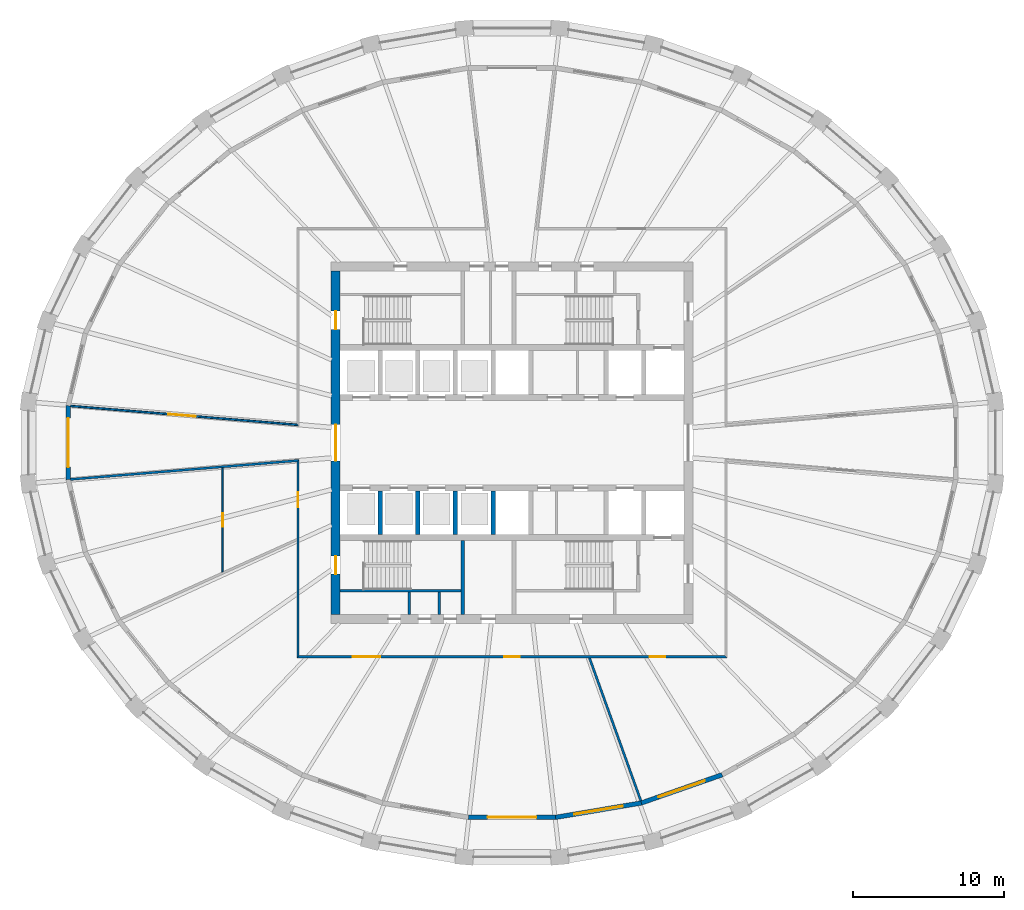
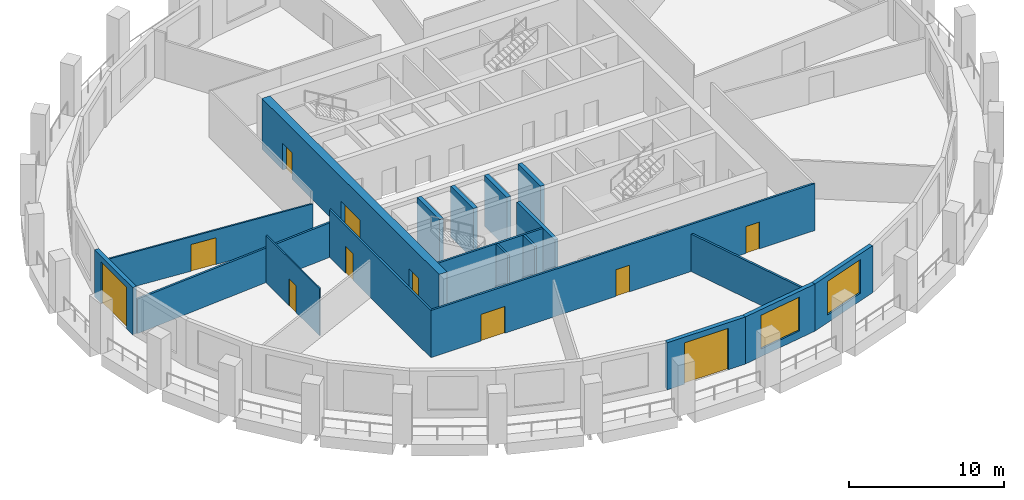
# One storey, part 3 of 10: 19 walls, 11 doors, 2 windows, 13 openings.
"""IFC4 building model written with IfcOpenShell, lengths in metres."""

from ifc_helpers import new_model, si_unit, direction, frame, frame_2d, origin, place, context, subcontext, project, spatial, polyline, rectangle, outline, extrude, material, layer, layer_set, type_object, element, fill, save


model = new_model("IFC4")

# Units and contexts
model_context = context("Model", 3, precision=1e-05, world=origin(), true_north=direction((0.0, 1.0)))
body_context = subcontext(model_context, "Body", "Model", "MODEL_VIEW")
ifc_project = project(units=[si_unit("LENGTHUNIT", "METRE"), si_unit("AREAUNIT", "SQUARE_METRE"), si_unit("VOLUMEUNIT", "CUBIC_METRE"), si_unit("PLANEANGLEUNIT", "RADIAN"), si_unit("MASSUNIT", "GRAM", prefix="KILO")], contexts=[model_context])

# Site, building, storey
site_placement = place(None, origin())
site = spatial("IfcSite", under=ifc_project, at=site_placement, CompositionType="ELEMENT")
building_placement = place(site_placement, origin())
building = spatial("IfcBuilding", under=site, at=building_placement, Name="Halqa Exchange Tower", CompositionType="ELEMENT")
storey_placement = place(building_placement, frame((0.0, 0.0, 206.89990234375)))
storey = spatial("IfcBuildingStorey", under=building, at=storey_placement, Name="L47", CompositionType="ELEMENT", Elevation=206.89990234375)

# Wall
ifc_material_1 = material(Name="Fire-rated gypsum board")
ifc_layer_1 = layer(ifc_material_1, 0.14990234375)
ifc_layer_set_1 = layer_set([ifc_layer_1], Name="Fire-rated gypsum board")
wall_type_1 = type_object("IfcWallType", Name="Fire partition EI 60 150", PredefinedType="PARTITIONING", material=ifc_layer_set_1)
wall_1_placement = place(storey_placement, frame((-29.288330078125, -2.43408203125, 0.0), z_axis=(0.0, 0.0, 1.0), x_axis=(0.9965984313, 0.082410962436, 0.0)))
element("IfcWall", 1, at=wall_1_placement, inside=storey, type_object=wall_type_1, Name="L47-PWL-002", PredefinedType="PARTITIONING", context=body_context, shape_type="SweptSolid", body=[
    extrude(outline(polyline([(0.004638671875, -0.074951171875), (1.886474609375, -0.074951171875), (3.76806640625, -0.074951171875), (5.64990234375, -0.074951171875), (7.531494140625, -0.074951171875), (9.413330078125, -0.074951171875), (11.295166015625, -0.074951171875), (13.1767578125, -0.074951171875), (15.05859375, -0.074951171875), (15.22119140625, 0.07470703125), (15.22119140625, 0.074951171875), (13.318603515625, 0.074951171875), (11.416015625, 0.074951171875), (9.51318359375, 0.074951171875), (7.610595703125, 0.074951171875), (5.7080078125, 0.074951171875), (3.80517578125, 0.074951171875), (1.902587890625, 0.074951171875), (0.0, 0.074951171875), (0.0, -0.044189453125), (0.004638671875, -0.074951171875)])), origin(), (0.0, 0.0, 1.0), 2.710205078125),
])

# Wall, opening, door
wall_2_placement = place(storey_placement, frame((-14.199951171875, -14.27490234375, 0.0), z_axis=(0.0, 0.0, 1.0), x_axis=(0.0, 1.0, 0.0)))
wall_2 = element("IfcWall", 2, at=wall_2_placement, inside=storey, type_object=wall_type_1, Name="L47-PWL-005", PredefinedType="PARTITIONING", context=body_context, shape_type="SweptSolid", body=[
    extrude(outline(polyline([(0.14990234375, -0.074951171875), (2.010009765625, -0.074951171875), (3.869873046875, -0.074951171875), (5.72998046875, -0.074951171875), (7.58984375, -0.074951171875), (9.449951171875, -0.074951171875), (11.309814453125, -0.074951171875), (13.169921875, -0.074951171875), (13.007080078125, 0.074951171875), (11.14892578125, 0.074951171875), (9.290771484375, 0.074951171875), (7.4326171875, 0.074951171875), (5.574462890625, 0.074951171875), (3.71630859375, 0.074951171875), (1.858154296875, 0.074951171875), (0.0, 0.074951171875), (0.14990234375, -0.074951171875)])), origin(), (0.0, 0.0, 1.0), 3.7001953125),
])
opening_1_placement = place(wall_2_placement, frame((9.985107421875, 0.0, 0.0)))
opening_1 = element("IfcOpeningElement", 3, at=opening_1_placement, cuts=wall_2, Name="Opening 14-03", PredefinedType="OPENING", context=body_context, shape_type="SweptSolid", body=[
    extrude(rectangle(XDim=1.0, YDim=2.10009765625, at=frame_2d((0.5, 1.050048828125))), frame((0.0, 0.0869140625, 0.0), z_axis=(0.0, -1.0, 0.0), x_axis=(1.0, 0.0, 0.0)), (0.0, 0.0, 1.0), 0.173828125),
])
ifc_material_2 = material(Name="Steel fire door leaf", Category="steel")
door_type_1 = type_object("IfcDoorType", Name="Fire door FD30S 1000 x 2100", OperationType="SINGLE_SWING_LEFT", PredefinedType="DOOR", material=ifc_material_2)
door_1_placement = place(opening_1_placement, origin())
door_1 = element("IfcDoor", 4, at=door_1_placement, inside=storey, type_object=door_type_1, Name="L47-IDR-003", OperationType="SINGLE_SWING_LEFT", OverallHeight=2.10009765625, OverallWidth=1.0, PredefinedType="DOOR", context=body_context, shape_type="SweptSolid", body=[
    extrude(rectangle(XDim=1.0, YDim=2.10009765625, at=frame_2d((0.5, 1.050048828125))), frame((0.0, 0.02490234375, 0.0), z_axis=(0.0, -1.0, 0.0), x_axis=(1.0, 0.0, 0.0)), (0.0, 0.0, 1.0), 0.050048828125),
])
fill(opening_1, door_1)

# Wall, openings, doors
wall_3_placement = place(storey_placement, frame((-14.27490234375, -14.199951171875, 0.0), z_axis=(0.0, 0.0, 1.0), x_axis=(1.0, 0.0, 0.0)))
wall_3 = element("IfcWall", 5, at=wall_3_placement, inside=storey, type_object=wall_type_1, Name="L47-PWL-006", PredefinedType="PARTITIONING", context=body_context, shape_type="SweptSolid", body=[
    extrude(outline(polyline([(28.5498046875, -0.074951171875), (28.5498046875, -0.074951171875), (28.39990234375, 0.074951171875), (26.5166015625, 0.074951171875), (24.63330078125, 0.074951171875), (22.75, 0.074951171875), (20.866455078125, 0.074951171875), (18.983154296875, 0.074951171875), (17.099853515625, 0.074951171875), (15.216552734375, 0.074951171875), (13.333251953125, 0.074951171875), (11.449951171875, 0.074951171875), (9.566650390625, 0.074951171875), (7.683349609375, 0.074951171875), (5.7998046875, 0.074951171875), (3.91650390625, 0.074951171875), (2.033203125, 0.074951171875), (0.14990234375, 0.074951171875), (0.0, -0.074951171875), (1.9033203125, -0.074951171875), (3.806640625, -0.074951171875), (5.7099609375, -0.074951171875), (7.61328125, -0.074951171875), (9.5166015625, -0.074951171875), (11.419921875, -0.074951171875), (13.3232421875, -0.074951171875), (15.2265625, -0.074951171875), (17.1298828125, -0.074951171875), (19.033203125, -0.074951171875), (20.9365234375, -0.074951171875), (22.83984375, -0.074951171875), (24.7431640625, -0.074951171875), (26.646484375, -0.074951171875), (28.5498046875, -0.074951171875)])), origin(), (0.0, 0.0, 1.0), 3.7001953125),
])
opening_2_placement = place(wall_3_placement, frame((3.719970703125, 0.0, 0.0)))
opening_2 = element("IfcOpeningElement", 6, at=opening_2_placement, cuts=wall_3, Name="Opening 14-04", PredefinedType="OPENING", context=body_context, shape_type="SweptSolid", body=[
    extrude(rectangle(XDim=1.800048828125, YDim=2.10009765625, at=frame_2d((0.89990234375, 1.050048828125))), frame((0.0, 0.0869140625, 0.0), z_axis=(0.0, -1.0, 0.0), x_axis=(1.0, 0.0, 0.0)), (0.0, 0.0, 1.0), 0.173828125),
])
opening_3_placement = place(wall_3_placement, frame((13.77490234375, 0.0, 0.0)))
opening_3 = element("IfcOpeningElement", 7, at=opening_3_placement, cuts=wall_3, Name="Opening 14-05", PredefinedType="OPENING", context=body_context, shape_type="SweptSolid", body=[
    extrude(rectangle(XDim=1.0, YDim=2.10009765625, at=frame_2d((0.5, 1.050048828125))), frame((0.0, 0.0869140625, 0.0), z_axis=(0.0, -1.0, 0.0), x_axis=(1.0, 0.0, 0.0)), (0.0, 0.0, 1.0), 0.173828125),
])
opening_4_placement = place(wall_3_placement, frame((23.429931640625, 0.0, 0.0)))
opening_4 = element("IfcOpeningElement", 8, at=opening_4_placement, cuts=wall_3, Name="Opening 14-06", PredefinedType="OPENING", context=body_context, shape_type="SweptSolid", body=[
    extrude(rectangle(XDim=1.0, YDim=2.10009765625, at=frame_2d((0.5, 1.050048828125))), frame((0.0, 0.0869140625, 0.0), z_axis=(0.0, -1.0, 0.0), x_axis=(1.0, 0.0, 0.0)), (0.0, 0.0, 1.0), 0.173828125),
])
door_2_placement = place(opening_3_placement, frame((1.0, 0.0, 0.0), z_axis=(0.0, 0.0, 1.0), x_axis=(-1.0, 0.0, 0.0)))
door_2 = element("IfcDoor", 9, at=door_2_placement, inside=storey, type_object=door_type_1, Name="L47-IDR-005", OperationType="SINGLE_SWING_LEFT", OverallHeight=2.10009765625, OverallWidth=1.0, PredefinedType="DOOR", context=body_context, shape_type="SweptSolid", body=[
    extrude(rectangle(XDim=1.0, YDim=2.10009765625, at=frame_2d((0.5, 1.050048828125))), frame((0.0, 0.02490234375, 0.0), z_axis=(0.0, -1.0, 0.0), x_axis=(1.0, 0.0, 0.0)), (0.0, 0.0, 1.0), 0.050048828125),
])
fill(opening_3, door_2)
door_3_placement = place(opening_4_placement, frame((1.0, 0.0, 0.0), z_axis=(0.0, 0.0, 1.0), x_axis=(-1.0, 0.0, 0.0)))
door_3 = element("IfcDoor", 10, at=door_3_placement, inside=storey, type_object=door_type_1, Name="L47-IDR-006", OperationType="SINGLE_SWING_LEFT", OverallHeight=2.10009765625, OverallWidth=1.0, PredefinedType="DOOR", context=body_context, shape_type="SweptSolid", body=[
    extrude(rectangle(XDim=1.0, YDim=2.10009765625, at=frame_2d((0.5, 1.050048828125))), frame((0.0, 0.02490234375, 0.0), z_axis=(0.0, -1.0, 0.0), x_axis=(1.0, 0.0, 0.0)), (0.0, 0.0, 1.0), 0.050048828125),
])
fill(opening_4, door_3)
door_type_2 = type_object("IfcDoorType", Name="Fire door FD30S double 1800 x 2100", OperationType="DOUBLE_DOOR_SINGLE_SWING", PredefinedType="DOOR", material=ifc_material_2)
door_4_placement = place(opening_2_placement, frame((1.800048828125, 0.0, 0.0), z_axis=(0.0, 0.0, 1.0), x_axis=(-1.0, 0.0, 0.0)))
door_4 = element("IfcDoor", 11, at=door_4_placement, inside=storey, type_object=door_type_2, Name="L47-IDR-004", OperationType="DOUBLE_DOOR_SINGLE_SWING", OverallHeight=2.10009765625, OverallWidth=1.800048828125, PredefinedType="DOOR", context=body_context, shape_type="SweptSolid", body=[
    extrude(rectangle(XDim=1.800048828125, YDim=2.10009765625, at=frame_2d((0.89990234375, 1.050048828125))), frame((0.0, 0.02490234375, 0.0), z_axis=(0.0, -1.0, 0.0), x_axis=(1.0, 0.0, 0.0)), (0.0, 0.0, 1.0), 0.050048828125),
])
fill(opening_2, door_4)

# Wall
wall_4_placement = place(storey_placement, frame((5.1279296875, -14.25, 0.0), z_axis=(0.0, 0.0, 1.0), x_axis=(0.338529589418, -0.940955746615, 0.0)))
element("IfcWall", 12, at=wall_4_placement, inside=storey, type_object=wall_type_1, Name="L47-PWL-015", PredefinedType="PARTITIONING", context=body_context, shape_type="SweptSolid", body=[
    extrude(outline(polyline([(0.0, -0.074951171875), (1.682373046875, -0.074951171875), (3.364990234375, -0.074951171875), (5.04736328125, -0.074951171875), (6.729736328125, -0.074951171875), (8.412353515625, -0.074951171875), (10.0947265625, -0.074951171875), (10.107421875, -0.0048828125), (10.108154296875, 0.07177734375), (10.108154296875, 0.074951171875), (8.432373046875, 0.074951171875), (6.756591796875, 0.074951171875), (5.080810546875, 0.074951171875), (3.405029296875, 0.074951171875), (1.729248046875, 0.074951171875), (0.053466796875, 0.074951171875), (0.0, -0.07373046875), (0.0, -0.074951171875)])), origin(), (0.0, 0.0, 1.0), 2.947021484375),
])

# Wall, opening, door
ifc_material_3 = material(Name="Fire-rated glazing", Category="glass")
ifc_layer_2 = layer(ifc_material_3, 0.1201171875)
ifc_layer_set_2 = layer_set([ifc_layer_2], Name="Fire-rated glazing")
wall_type_2 = type_object("IfcWallType", Name="Glazed fire partition EI 60 120", PredefinedType="PARTITIONING", material=ifc_layer_set_2)
wall_5_placement = place(storey_placement, frame((-29.289794921875, 2.43408203125, 0.0), z_axis=(0.0, 0.0, 1.0), x_axis=(0.996564113419, -0.082824922852, 0.0)))
wall_5 = element("IfcWall", 13, at=wall_5_placement, inside=storey, type_object=wall_type_2, Name="L47-PWL-001", PredefinedType="PARTITIONING", context=body_context, shape_type="SweptSolid", body=[
    extrude(outline(polyline([(15.20703125, -0.06005859375), (15.20703125, -0.06005859375), (15.20703125, -0.06005859375), (15.20703125, -0.06005859375), (15.141845703125, 0.0), (15.07666015625, 0.06005859375), (13.1923828125, 0.06005859375), (11.308349609375, 0.06005859375), (9.42431640625, 0.06005859375), (7.540283203125, 0.06005859375), (5.656005859375, 0.06005859375), (3.77197265625, 0.06005859375), (1.887939453125, 0.06005859375), (0.00390625, 0.06005859375), (0.0, 0.03466796875), (0.0, -0.06005859375), (1.90087890625, -0.06005859375), (3.8017578125, -0.06005859375), (5.70263671875, -0.06005859375), (7.603515625, -0.06005859375), (9.50439453125, -0.06005859375), (11.4052734375, -0.06005859375), (13.30615234375, -0.06005859375), (15.20703125, -0.06005859375)])), origin(), (0.0, 0.0, 1.0), 2.710205078125),
])
opening_5_placement = place(wall_5_placement, frame((6.515380859375, 0.0, 0.0)))
opening_5 = element("IfcOpeningElement", 14, at=opening_5_placement, cuts=wall_5, Name="Opening 14-02", PredefinedType="OPENING", context=body_context, shape_type="SweptSolid", body=[
    extrude(rectangle(XDim=1.800048828125, YDim=2.10009765625, at=frame_2d((0.89990234375, 1.050048828125))), frame((0.0, 0.072021484375, 0.0), z_axis=(0.0, -1.0, 0.0), x_axis=(1.0, 0.0, 0.0)), (0.0, 0.0, 1.0), 0.14404296875),
])
door_5_placement = place(opening_5_placement, origin())
door_5 = element("IfcDoor", 15, at=door_5_placement, inside=storey, type_object=door_type_2, Name="L47-IDR-002", OperationType="DOUBLE_DOOR_SINGLE_SWING", OverallHeight=2.10009765625, OverallWidth=1.800048828125, PredefinedType="DOOR", context=body_context, shape_type="SweptSolid", body=[
    extrude(rectangle(XDim=1.800048828125, YDim=2.10009765625, at=frame_2d((0.89990234375, 1.050048828125))), frame((0.0, 0.02490234375, 0.0), z_axis=(0.0, -1.0, 0.0), x_axis=(1.0, 0.0, 0.0)), (0.0, 0.0, 1.0), 0.050048828125),
])
fill(opening_5, door_5)

ifc_material_4 = material(Name="Gypsum board")
ifc_layer_3 = layer(ifc_material_4, 0.10009765625)
ifc_layer_set_3 = layer_set([ifc_layer_3], Name="Gypsum board")
wall_type_3 = type_object("IfcWallType", Name="Partition 100 gypsum", PredefinedType="PARTITIONING", material=ifc_layer_set_3)
wall_6_placement = place(storey_placement, frame((-19.199951171875, -8.594970703125, 0.0), z_axis=(0.0, 0.0, 1.0), x_axis=(0.0, 1.0, 0.0)))
wall_6 = element("IfcWall", 16, at=wall_6_placement, inside=storey, type_object=wall_type_3, Name="L47-PWL-004", PredefinedType="PARTITIONING", context=body_context, shape_type="SweptSolid", body=[
    extrude(outline(polyline([(6.923583984375, -0.050048828125), (6.923583984375, -0.046630859375), (6.91552734375, 0.050048828125), (5.186767578125, 0.050048828125), (3.457763671875, 0.050048828125), (1.72900390625, 0.050048828125), (0.0, 0.050048828125), (0.0, 0.049560546875), (0.044921875, -0.050048828125), (1.7646484375, -0.050048828125), (3.484375, -0.050048828125), (5.203857421875, -0.050048828125), (6.923583984375, -0.050048828125)])), origin(), (0.0, 0.0, 1.0), 3.7001953125),
])
opening_6_placement = place(wall_6_placement, frame((3.02001953125, 0.0, 0.0)))
opening_6 = element("IfcOpeningElement", 17, at=opening_6_placement, cuts=wall_6, Name="Opening 14-10", PredefinedType="OPENING", context=body_context, shape_type="SweptSolid", body=[
    extrude(rectangle(XDim=0.89990234375, YDim=2.10009765625, at=frame_2d((0.449951171875, 1.050048828125))), frame((0.0, 0.06201171875, 0.0), z_axis=(0.0, -1.0, 0.0), x_axis=(1.0, 0.0, 0.0)), (0.0, 0.0, 1.0), 0.1240234375),
])
ifc_material_5 = material(Name="Timber door leaf", Category="wood")
door_type_3 = type_object("IfcDoorType", Name="Door 900 x 2100", OperationType="SINGLE_SWING_LEFT", PredefinedType="DOOR", material=ifc_material_5)
door_6_placement = place(opening_6_placement, frame((0.89990234375, 0.0, 0.0), z_axis=(0.0, 0.0, 1.0), x_axis=(-1.0, 0.0, 0.0)))
door_6 = element("IfcDoor", 18, at=door_6_placement, inside=storey, type_object=door_type_3, Name="L47-IDR-010", OperationType="SINGLE_SWING_LEFT", OverallHeight=2.10009765625, OverallWidth=0.89990234375, PredefinedType="DOOR", context=body_context, shape_type="SweptSolid", body=[
    extrude(rectangle(XDim=0.89990234375, YDim=2.10009765625, at=frame_2d((0.449951171875, 1.050048828125))), frame((0.0, 0.02490234375, 0.0), z_axis=(0.0, -1.0, 0.0), x_axis=(1.0, 0.0, 0.0)), (0.0, 0.0, 1.0), 0.050048828125),
])
fill(opening_6, door_6)

# Walls
ifc_layer_4 = layer(ifc_material_4, 0.14990234375)
ifc_layer_set_4 = layer_set([ifc_layer_4], Name="Gypsum board")
wall_type_4 = type_object("IfcWallType", Name="Penthouse riser wall 150 gypsum", PredefinedType="PARTITIONING", material=ifc_layer_set_4)
for number, where, z_axis, x_axis, name in (
    (19, (-6.824951171875, -11.39990234375, 0.0), (0.0, 0.0, 1.0), (0.0, 1.0, 0.0), "Partition W6.825 S"),
    (20, (-4.824951171875, -11.39990234375, 0.0), (0.0, 0.0, 1.0), (0.0, 1.0, 0.0), "Partition W4.825 S"),
):
    element("IfcWall", number, at=place(storey_placement, frame(where, z_axis=z_axis, x_axis=x_axis)), inside=storey, type_object=wall_type_4, Name=name, PredefinedType="PARTITIONING", context=body_context, shape_type="SweptSolid", body=[
        extrude(rectangle(XDim=1.5, YDim=0.14990234375, at=frame_2d((0.75, 0.0))), origin(), (0.0, 0.0, 1.0), 3.7001953125),
    ])
ifc_material_6 = material(Name="Concrete C60/75", Category="concrete")
ifc_layer_5 = layer(ifc_material_6, 0.300048828125)
ifc_layer_set_5 = layer_set([ifc_layer_5], Name="Concrete C60/75")
wall_type_5 = type_object("IfcWallType", Name="RC core wall 300", PredefinedType="SHEAR", material=ifc_layer_set_5)
for number, where, z_axis, x_axis, name in (
    (21, (-8.75, -6.10009765625, 0.0), (0.0, 0.0, 1.0), (0.0, 1.0, 0.0), "Shaft divider S1"),
    (22, (-6.25, -6.10009765625, 0.0), (0.0, 0.0, 1.0), (0.0, 1.0, 0.0), "Shaft divider S2"),
    (23, (-3.75, -6.10009765625, 0.0), (0.0, 0.0, 1.0), (0.0, 1.0, 0.0), "Shaft divider S3"),
    (24, (-1.25, -6.10009765625, 0.0), (0.0, 0.0, 1.0), (0.0, 1.0, 0.0), "Shaft divider S4"),
):
    element("IfcWall", number, at=place(storey_placement, frame(where, z_axis=z_axis, x_axis=x_axis)), inside=storey, type_object=wall_type_5, Name=name, PredefinedType="SHEAR", context=body_context, shape_type="SweptSolid", body=[
        extrude(rectangle(XDim=2.900146484375, YDim=0.300048828125, at=frame_2d((1.4501953125, 0.0))), origin(), (0.0, 0.0, 1.0), 4.0),
    ])

# Wall, openings, doors
ifc_material_7 = material(Name="Concrete C70/85", Category="concrete")
ifc_layer_6 = layer(ifc_material_7, 0.60009765625)
ifc_layer_set_6 = layer_set([ifc_layer_6], Name="Concrete C70/85")
wall_type_6 = type_object("IfcWallType", Name="RC core wall 600 C70/85", PredefinedType="SHEAR", material=ifc_layer_set_6)
wall_7_placement = place(storey_placement, frame((-11.699951171875, -11.39990234375, 0.0), z_axis=(0.0, 0.0, 1.0), x_axis=(0.0, 1.0, 0.0)))
wall_7 = element("IfcWall", 25, at=wall_7_placement, inside=storey, type_object=wall_type_6, Name="Core wall west", PredefinedType="SHEAR", context=body_context, shape_type="SweptSolid", body=[
    extrude(rectangle(XDim=22.7998046875, YDim=0.60009765625, at=frame_2d((11.39990234375, 0.0))), origin(), (0.0, 0.0, 1.0), 4.0),
])
opening_7_placement = place(wall_7_placement, frame((10.199951171875, 0.0, 0.0)))
opening_7 = element("IfcOpeningElement", 26, at=opening_7_placement, cuts=wall_7, Name="Opening T14-C13", PredefinedType="OPENING", context=body_context, shape_type="SweptSolid", body=[
    extrude(rectangle(XDim=2.39990234375, YDim=2.10009765625, at=frame_2d((1.199951171875, 1.050048828125))), frame((0.0, 0.31201171875, 0.0), z_axis=(0.0, -1.0, 0.0), x_axis=(1.0, 0.0, 0.0)), (0.0, 0.0, 1.0), 0.6240234375),
])
opening_8_placement = place(wall_7_placement, frame((18.925048828125, 0.0, 0.0)))
opening_8 = element("IfcOpeningElement", 27, at=opening_8_placement, cuts=wall_7, Name="Opening T14-C15", PredefinedType="OPENING", context=body_context, shape_type="SweptSolid", body=[
    extrude(rectangle(XDim=1.199951171875, YDim=2.10009765625, at=frame_2d((0.60009765625, 1.050048828125))), frame((0.0, 0.31201171875, 0.0), z_axis=(0.0, -1.0, 0.0), x_axis=(1.0, 0.0, 0.0)), (0.0, 0.0, 1.0), 0.6240234375),
])
opening_9_placement = place(wall_7_placement, frame((2.675048828125, 0.0, 0.0)))
opening_9 = element("IfcOpeningElement", 28, at=opening_9_placement, cuts=wall_7, Name="Opening T14-C17", PredefinedType="OPENING", context=body_context, shape_type="SweptSolid", body=[
    extrude(rectangle(XDim=1.199951171875, YDim=2.10009765625, at=frame_2d((0.60009765625, 1.050048828125))), frame((0.0, 0.31201171875, 0.0), z_axis=(0.0, -1.0, 0.0), x_axis=(1.0, 0.0, 0.0)), (0.0, 0.0, 1.0), 0.6240234375),
])
door_type_4 = type_object("IfcDoorType", Name="Lobby double door FD60 2400 x 2100", OperationType="DOUBLE_DOOR_SINGLE_SWING", PredefinedType="DOOR", material=ifc_material_2)
door_7_placement = place(opening_7_placement, frame((2.39990234375, 0.0, 0.0), z_axis=(0.0, 0.0, 1.0), x_axis=(-1.0, 0.0, 0.0)))
door_7 = element("IfcDoor", 29, at=door_7_placement, inside=storey, type_object=door_type_4, Name="Lift lobby double door", OperationType="DOUBLE_DOOR_SINGLE_SWING", OverallHeight=2.10009765625, OverallWidth=2.39990234375, PredefinedType="DOOR", context=body_context, shape_type="SweptSolid", body=[
    extrude(rectangle(XDim=2.39990234375, YDim=2.10009765625, at=frame_2d((1.199951171875, 1.050048828125))), frame((0.0, 0.02490234375, 0.0), z_axis=(0.0, -1.0, 0.0), x_axis=(1.0, 0.0, 0.0)), (0.0, 0.0, 1.0), 0.050048828125),
])
fill(opening_7, door_7)
door_type_5 = type_object("IfcDoorType", Name="Stair door FD90 1200 x 2100", OperationType="SINGLE_SWING_LEFT", PredefinedType="DOOR", material=ifc_material_2)
door_8_placement = place(opening_8_placement, frame((1.199951171875, 0.0, 0.0), z_axis=(0.0, 0.0, 1.0), x_axis=(-1.0, 0.0, 0.0)))
door_8 = element("IfcDoor", 30, at=door_8_placement, inside=storey, type_object=door_type_5, Name="Stair door ST1", OperationType="SINGLE_SWING_RIGHT", OverallHeight=2.10009765625, OverallWidth=1.199951171875, PredefinedType="DOOR", context=body_context, shape_type="SweptSolid", body=[
    extrude(rectangle(XDim=1.199951171875, YDim=2.10009765625, at=frame_2d((0.60009765625, 1.050048828125))), frame((0.0, 0.02490234375, 0.0), z_axis=(0.0, -1.0, 0.0), x_axis=(1.0, 0.0, 0.0)), (0.0, 0.0, 1.0), 0.050048828125),
])
fill(opening_8, door_8)
door_9_placement = place(opening_9_placement, frame((1.199951171875, 0.0, 0.0), z_axis=(0.0, 0.0, 1.0), x_axis=(-1.0, 0.0, 0.0)))
door_9 = element("IfcDoor", 31, at=door_9_placement, inside=storey, type_object=door_type_5, Name="Stair door ST3", OperationType="SINGLE_SWING_RIGHT", OverallHeight=2.10009765625, OverallWidth=1.199951171875, PredefinedType="DOOR", context=body_context, shape_type="SweptSolid", body=[
    extrude(rectangle(XDim=1.199951171875, YDim=2.10009765625, at=frame_2d((0.60009765625, 1.050048828125))), frame((0.0, 0.02490234375, 0.0), z_axis=(0.0, -1.0, 0.0), x_axis=(1.0, 0.0, 0.0)), (0.0, 0.0, 1.0), 0.050048828125),
])
fill(opening_9, door_9)

# Walls
ifc_material_8 = material(Name="Concrete C30/37", Category="concrete")
ifc_layer_7 = layer(ifc_material_8, 0.14990234375)
ifc_layer_set_7 = layer_set([ifc_layer_7], Name="Concrete C30/37")
wall_type_7 = type_object("IfcWallType", Name="RC stair wall 150 C30/37", PredefinedType="SHEAR", material=ifc_layer_set_7)
wall_8_placement = place(storey_placement, frame((-11.39990234375, -9.824951171875, 0.0), z_axis=(0.0, 0.0, 1.0), x_axis=(1.0, 0.0, 0.0)))
element("IfcWall", 32, at=wall_8_placement, inside=storey, type_object=wall_type_7, Name="Stair ST1 north wall S", PredefinedType="SHEAR", context=body_context, shape_type="SweptSolid", body=[
    extrude(rectangle(XDim=8.0, YDim=0.14990234375, at=frame_2d((4.0, 0.0))), origin(), (0.0, 0.0, 1.0), 3.7001953125),
])
ifc_layer_8 = layer(ifc_material_8, 0.25)
ifc_layer_set_8 = layer_set([ifc_layer_8], Name="Concrete C30/37")
wall_type_8 = type_object("IfcWallType", Name="RC stair wall 250 C30/37", PredefinedType="SHEAR", material=ifc_layer_set_8)
wall_9_placement = place(storey_placement, frame((-3.27490234375, -11.39990234375, 0.0), z_axis=(0.0, 0.0, 1.0), x_axis=(0.0, 1.0, 0.0)))
element("IfcWall", 33, at=wall_9_placement, inside=storey, type_object=wall_type_8, Name="Stair ST1 east wall S", PredefinedType="SHEAR", context=body_context, shape_type="SweptSolid", body=[
    extrude(rectangle(XDim=4.89990234375, YDim=0.25, at=frame_2d((2.449951171875, 0.0))), origin(), (0.0, 0.0, 1.0), 3.7001953125),
])

# Wall, opening, door
ifc_material_9 = material(Name="Limestone cladding", Category="masonry")
ifc_layer_9 = layer(ifc_material_9, 0.0400390625)
ifc_material_10 = material(Name="Ventilated cavity")
ifc_layer_10 = layer(ifc_material_10, 0.030029296875, ventilated=True)
ifc_material_11 = material(Name="Mineral wool insulation")
ifc_layer_11 = layer(ifc_material_11, 0.10009765625)
ifc_layer_12 = layer(ifc_material_8, 0.10009765625)
ifc_material_12 = material(Name="Internal plaster")
ifc_layer_13 = layer(ifc_material_12, 0.030029296875)
ifc_layer_set_9 = layer_set([ifc_layer_9, ifc_layer_10, ifc_layer_11, ifc_layer_12, ifc_layer_13], Name="Stone-faced insulated wall 300")
wall_type_9 = type_object("IfcWallType", Name="Stone-faced insulated wall 300", PredefinedType="STANDARD", material=ifc_layer_set_9)
wall_10_placement = place(storey_placement, frame((-29.445068359375, 2.451416015625, 0.0), z_axis=(0.0, 0.0, 1.0), x_axis=(0.0, -1.0, 0.0)))
wall_10 = element("IfcWall", 34, at=wall_10_placement, inside=storey, type_object=wall_type_9, Name="Glass-line wall 16", PredefinedType="STANDARD", context=body_context, shape_type="SweptSolid", body=[
    extrude(outline(polyline([(-0.017333984375, -0.14990234375), (4.920166015625, -0.14990234375), (4.885498046875, 0.14990234375), (0.017333984375, 0.14990234375), (-0.017333984375, -0.14990234375)])), origin(), (0.0, 0.0, 1.0), 3.7001953125),
])
opening_10_placement = place(wall_10_placement, frame((0.826416015625, 0.0, 0.0)))
opening_10 = element("IfcOpeningElement", 35, at=opening_10_placement, cuts=wall_10, Name="Opening LG-F3-04", PredefinedType="OPENING", context=body_context, shape_type="SweptSolid", body=[
    extrude(rectangle(XDim=3.25, YDim=3.25, at=frame_2d((1.625, 1.625))), frame((0.0, 0.162109375, 0.0), z_axis=(0.0, -1.0, 0.0), x_axis=(1.0, 0.0, 0.0)), (0.0, 0.0, 1.0), 0.323974609375),
])
ifc_material_13 = material(Name="Clear low-emissivity glass in aluminium frame", Category="aluminium")
door_type_6 = type_object("IfcDoorType", Name="Glazed sliding loggia door 3250 x 3250", OperationType="DOUBLE_DOOR_SLIDING", PredefinedType="DOOR", material=ifc_material_13)
door_10_placement = place(opening_10_placement, origin())
door_10 = element("IfcDoor", 36, at=door_10_placement, inside=storey, type_object=door_type_6, Name="Loggia door 4", OperationType="DOUBLE_DOOR_SLIDING", OverallHeight=3.25, OverallWidth=3.25, PredefinedType="DOOR", context=body_context, shape_type="SweptSolid", body=[
    extrude(rectangle(XDim=3.25, YDim=3.25, at=frame_2d((1.625, 1.625))), frame((0.0, 0.02490234375, 0.0), z_axis=(0.0, -1.0, 0.0), x_axis=(1.0, 0.0, 0.0)), (0.0, 0.0, 1.0), 0.050048828125),
])
fill(opening_10, door_10)

wall_11_placement = place(storey_placement, frame((-2.897705078125, -24.86181640625, 0.0), z_axis=(0.0, 0.0, 1.0), x_axis=(1.0, 0.0, 0.0)))
wall_11 = element("IfcWall", 37, at=wall_11_placement, inside=storey, type_object=wall_type_9, Name="Glass-line wall 24", PredefinedType="STANDARD", context=body_context, shape_type="SweptSolid", body=[
    extrude(outline(polyline([(-0.012451171875, -0.14990234375), (5.807861328125, -0.14990234375), (5.782958984375, 0.14990234375), (0.012451171875, 0.14990234375), (-0.012451171875, -0.14990234375)])), origin(), (0.0, 0.0, 1.0), 3.7001953125),
])
opening_11_placement = place(wall_11_placement, frame((1.272705078125, 0.0, 0.0)))
opening_11 = element("IfcOpeningElement", 38, at=opening_11_placement, cuts=wall_11, Name="Opening LG-F3-06", PredefinedType="OPENING", context=body_context, shape_type="SweptSolid", body=[
    extrude(rectangle(XDim=3.25, YDim=3.25, at=frame_2d((1.625, 1.625))), frame((0.0, 0.162109375, 0.0), z_axis=(0.0, -1.0, 0.0), x_axis=(1.0, 0.0, 0.0)), (0.0, 0.0, 1.0), 0.323974609375),
])
door_11_placement = place(opening_11_placement, origin())
door_11 = element("IfcDoor", 39, at=door_11_placement, inside=storey, type_object=door_type_6, Name="Loggia door 6", OperationType="DOUBLE_DOOR_SLIDING", OverallHeight=3.25, OverallWidth=3.25, PredefinedType="DOOR", context=body_context, shape_type="SweptSolid", body=[
    extrude(rectangle(XDim=3.25, YDim=3.25, at=frame_2d((1.625, 1.625))), frame((0.0, 0.02490234375, 0.0), z_axis=(0.0, -1.0, 0.0), x_axis=(1.0, 0.0, 0.0)), (0.0, 0.0, 1.0), 0.050048828125),
])
fill(opening_11, door_11)

# Wall, opening, window
wall_12_placement = place(storey_placement, frame((2.897705078125, -24.86181640625, 0.0), z_axis=(0.0, 0.0, 1.0), x_axis=(0.98622052717, 0.165436005116, 0.0)))
wall_12 = element("IfcWall", 40, at=wall_12_placement, inside=storey, type_object=wall_type_9, Name="Glass-line wall 25", PredefinedType="STANDARD", context=body_context, shape_type="SweptSolid", body=[
    extrude(outline(polyline([(-0.012451171875, -0.14990234375), (5.77685546875, -0.14990234375), (5.75146484375, 0.14990234375), (0.012451171875, 0.14990234375), (-0.012451171875, -0.14990234375)])), origin(), (0.0, 0.0, 1.0), 3.7001953125),
])
opening_12_placement = place(wall_12_placement, frame((1.257080078125, 0.0, 0.60009765625)))
opening_12 = element("IfcOpeningElement", 41, at=opening_12_placement, cuts=wall_12, Name="Opening W-F3-25", PredefinedType="OPENING", context=body_context, shape_type="SweptSolid", body=[
    extrude(rectangle(XDim=3.25, YDim=2.64990234375, at=frame_2d((1.625, 1.324951171875))), frame((0.0, 0.162109375, 0.0), z_axis=(0.0, -1.0, 0.0), x_axis=(1.0, 0.0, 0.0)), (0.0, 0.0, 1.0), 0.323974609375),
])
window_type = type_object("IfcWindowType", Name="Fixed clear glazed window 3250 x 2650", PartitioningType="TRIPLE_PANEL_VERTICAL", PredefinedType="WINDOW", material=ifc_material_13)
window_1_placement = place(opening_12_placement, origin())
window_1 = element("IfcWindow", 42, at=window_1_placement, inside=storey, type_object=window_type, Name="Window 3", OverallHeight=2.64990234375, OverallWidth=3.25, PartitioningType="TRIPLE_PANEL_VERTICAL", PredefinedType="WINDOW", context=body_context, shape_type="SweptSolid", body=[
    extrude(rectangle(XDim=3.25, YDim=2.64990234375, at=frame_2d((1.625, 1.324951171875))), frame((0.0, 0.030029296875, 0.0), z_axis=(0.0, -1.0, 0.0), x_axis=(1.0, 0.0, 0.0)), (0.0, 0.0, 1.0), 0.06005859375),
])
fill(opening_12, window_1)

wall_13_placement = place(storey_placement, frame((8.58251953125, -23.908203125, 0.0), z_axis=(0.0, 0.0, 1.0), x_axis=(0.944023272224, 0.329878858824, 0.0)))
wall_13 = element("IfcWall", 43, at=wall_13_placement, inside=storey, type_object=wall_type_9, Name="Glass-line wall 26", PredefinedType="STANDARD", context=body_context, shape_type="SweptSolid", body=[
    extrude(outline(polyline([(-0.0126953125, -0.14990234375), (5.68701171875, -0.14990234375), (5.66015625, 0.14990234375), (0.0126953125, 0.14990234375), (-0.0126953125, -0.14990234375)])), origin(), (0.0, 0.0, 1.0), 3.7001953125),
])
opening_13_placement = place(wall_13_placement, frame((1.2119140625, 0.0, 0.60009765625)))
opening_13 = element("IfcOpeningElement", 44, at=opening_13_placement, cuts=wall_13, Name="Opening W-F3-26", PredefinedType="OPENING", context=body_context, shape_type="SweptSolid", body=[
    extrude(rectangle(XDim=3.25, YDim=2.64990234375, at=frame_2d((1.625, 1.324951171875))), frame((0.0, 0.162109375, 0.0), z_axis=(0.0, -1.0, 0.0), x_axis=(1.0, 0.0, 0.0)), (0.0, 0.0, 1.0), 0.323974609375),
])
window_2_placement = place(opening_13_placement, origin())
window_2 = element("IfcWindow", 45, at=window_2_placement, inside=storey, type_object=window_type, Name="Window 3", OverallHeight=2.64990234375, OverallWidth=3.25, PartitioningType="TRIPLE_PANEL_VERTICAL", PredefinedType="WINDOW", context=body_context, shape_type="SweptSolid", body=[
    extrude(rectangle(XDim=3.25, YDim=2.64990234375, at=frame_2d((1.625, 1.324951171875))), frame((0.0, 0.030029296875, 0.0), z_axis=(0.0, -1.0, 0.0), x_axis=(1.0, 0.0, 0.0)), (0.0, 0.0, 1.0), 0.06005859375),
])
fill(opening_13, window_2)

save(model, "model.ifc")
